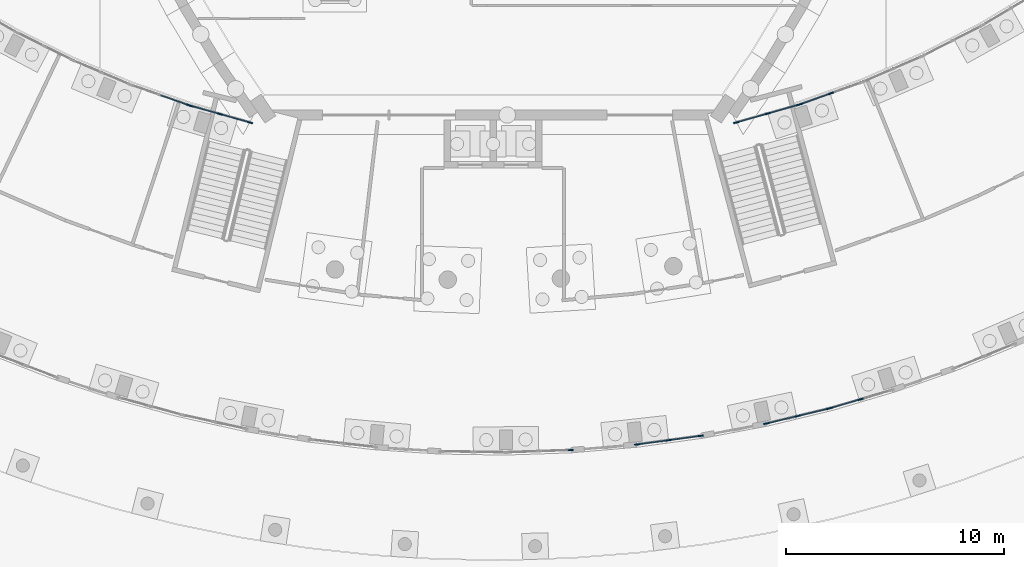
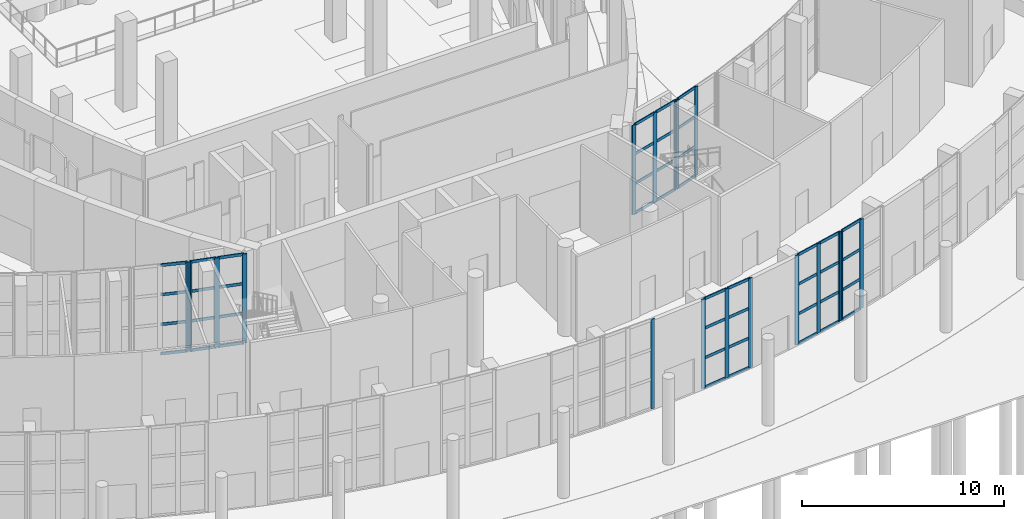
# One storey, part 21 of 82: 62 members, 8 elements without a shape of their own.
"""IFC4 building model written with IfcOpenShell, lengths in metres."""

from ifc_helpers import new_model, si_unit, direction, frame, origin, origin_2d, place, context, subcontext, project, spatial, rectangle, extrude, material, material_profile, profile_set, type_object, element, aggregate, save


model = new_model("IFC4")

# Units and contexts
model_context = context("Model", 3, precision=1e-05, world=origin(), true_north=direction((0.0, 1.0)))
body_context = subcontext(model_context, "Body", "Model", "MODEL_VIEW")
ifc_project = project(units=[si_unit("LENGTHUNIT", "METRE"), si_unit("AREAUNIT", "SQUARE_METRE"), si_unit("VOLUMEUNIT", "CUBIC_METRE"), si_unit("PLANEANGLEUNIT", "RADIAN"), si_unit("MASSUNIT", "GRAM", prefix="KILO")], contexts=[model_context])

# Site, building, storey
site_placement = place(None, origin())
site = spatial("IfcSite", under=ifc_project, at=site_placement, CompositionType="ELEMENT")
building_placement = place(site_placement, origin())
building = spatial("IfcBuilding", under=site, at=building_placement, Name="Tide Square Theatres", CompositionType="ELEMENT")
storey_placement = place(building_placement, origin())
storey = spatial("IfcBuildingStorey", under=building, at=storey_placement, Name="L00", CompositionType="ELEMENT", Elevation=0.0)

# Curtain wall, member
ifc_material_1 = material(Name="Aluminium 6063-T5", Category="aluminium")
curtain_wall_type = type_object("IfcCurtainWallType", Name="Unitised system curtain wall 5400 high", PredefinedType="USERDEFINED", material=ifc_material_1)
curtain_wall_1_placement = place(storey_placement, origin())
curtain_wall_1 = element("IfcCurtainWall", 1, at=curtain_wall_1_placement, inside=storey, type_object=curtain_wall_type, Name="Foyer outer curtain wall", ObjectType="UNITISED SYSTEM", PredefinedType="USERDEFINED")
ifc_material_2 = material(Name="Aluminium 6063-T5", Category="aluminium")
ifc_material_profile_1 = material_profile(ifc_material_2, rectangle(XDim=0.06005859375, YDim=0.25, at=origin_2d()))
ifc_profile_set_1 = profile_set([ifc_material_profile_1], Name="Aluminium 6063-T5")
member_type_1 = type_object("IfcMemberType", Name="Aluminium mullion 60 x 250", PredefinedType="MULLION", material=ifc_profile_set_1)
member_1_placement = place(storey_placement, frame((87.555908203125, 8.2314453125, 0.0), z_axis=(0.0, 0.0, 1.0), x_axis=(-0.034879571875, 0.999391522611, 0.0)))
member_1 = element("IfcMember", 2, at=member_1_placement, type_object=member_type_1, Name="CW-01 mullion 3", PredefinedType="MULLION", context=body_context, shape_type="SweptSolid", body=[
    extrude(rectangle(XDim=0.06005859375, YDim=0.25, at=origin_2d()), origin(), (0.0, 0.0, 1.0), 5.39990234375),
])
aggregate(curtain_wall_1, [member_1])

# Curtain wall, members
curtain_wall_2_placement = place(storey_placement, origin())
curtain_wall_2 = element("IfcCurtainWall", 3, at=curtain_wall_2_placement, inside=storey, type_object=curtain_wall_type, Name="Foyer outer curtain wall", ObjectType="UNITISED SYSTEM", PredefinedType="USERDEFINED")
member_2_placement = place(storey_placement, frame((90.600830078125, 8.49072265625, 0.0), z_axis=(0.0, 0.0, 1.0), x_axis=(-0.134576982836, 0.990903141427, 0.0)))
member_2 = element("IfcMember", 4, at=member_2_placement, type_object=member_type_1, Name="CW-01 mullion 1", PredefinedType="MULLION", context=body_context, shape_type="SweptSolid", body=[
    extrude(rectangle(XDim=0.06005859375, YDim=0.25, at=origin_2d()), origin(), (0.0, 0.0, 1.0), 5.39990234375),
])
member_3_placement = place(storey_placement, frame((92.055419921875, 8.688232421875, 0.0), z_axis=(0.0, 0.0, 1.0), x_axis=(-0.134576982836, 0.990903141427, 0.0)))
member_3 = element("IfcMember", 5, at=member_3_placement, type_object=member_type_1, Name="CW-01 mullion 2", PredefinedType="MULLION", context=body_context, shape_type="SweptSolid", body=[
    extrude(rectangle(XDim=0.06005859375, YDim=0.25, at=origin_2d()), origin(), (0.0, 0.0, 1.0), 5.39990234375),
])
member_4_placement = place(storey_placement, frame((93.51025390625, 8.8857421875, 0.0), z_axis=(0.0, 0.0, 1.0), x_axis=(-0.134576982836, 0.990903141427, 0.0)))
member_4 = element("IfcMember", 6, at=member_4_placement, type_object=member_type_1, Name="CW-01 mullion 3", PredefinedType="MULLION", context=body_context, shape_type="SweptSolid", body=[
    extrude(rectangle(XDim=0.06005859375, YDim=0.25, at=origin_2d()), origin(), (0.0, 0.0, 1.0), 5.39990234375),
])

curtain_wall_3_placement = place(storey_placement, origin())
curtain_wall_3 = element("IfcCurtainWall", 7, at=curtain_wall_3_placement, inside=storey, type_object=curtain_wall_type, Name="Foyer outer curtain wall", ObjectType="UNITISED SYSTEM", PredefinedType="USERDEFINED")
member_5_placement = place(storey_placement, frame((96.513916015625, 9.447998046875, 0.0), z_axis=(0.0, 0.0, 1.0), x_axis=(-0.232910887324, 0.972498081523, 0.0)))
member_5 = element("IfcMember", 8, at=member_5_placement, type_object=member_type_1, Name="CW-01 mullion 1", PredefinedType="MULLION", context=body_context, shape_type="SweptSolid", body=[
    extrude(rectangle(XDim=0.06005859375, YDim=0.25, at=origin_2d()), origin(), (0.0, 0.0, 1.0), 5.39990234375),
])
member_6_placement = place(storey_placement, frame((97.94140625, 9.7900390625, 0.0), z_axis=(0.0, 0.0, 1.0), x_axis=(-0.232910887324, 0.972498081523, 0.0)))
member_6 = element("IfcMember", 9, at=member_6_placement, type_object=member_type_1, Name="CW-01 mullion 2", PredefinedType="MULLION", context=body_context, shape_type="SweptSolid", body=[
    extrude(rectangle(XDim=0.06005859375, YDim=0.25, at=origin_2d()), origin(), (0.0, 0.0, 1.0), 5.39990234375),
])
member_7_placement = place(storey_placement, frame((99.369140625, 10.1318359375, 0.0), z_axis=(0.0, 0.0, 1.0), x_axis=(-0.232910887324, 0.972498081523, 0.0)))
member_7 = element("IfcMember", 10, at=member_7_placement, type_object=member_type_1, Name="CW-01 mullion 3", PredefinedType="MULLION", context=body_context, shape_type="SweptSolid", body=[
    extrude(rectangle(XDim=0.06005859375, YDim=0.25, at=origin_2d()), origin(), (0.0, 0.0, 1.0), 5.39990234375),
])

curtain_wall_4_placement = place(storey_placement, origin())
curtain_wall_4 = element("IfcCurtainWall", 11, at=curtain_wall_4_placement, inside=storey, type_object=curtain_wall_type, Name="Foyer outer curtain wall", ObjectType="UNITISED SYSTEM", PredefinedType="USERDEFINED")
member_8_placement = place(storey_placement, frame((99.427001953125, 10.147216796875, 0.0), z_axis=(0.0, 0.0, 1.0), x_axis=(-0.281278914607, 0.959626058524, 0.0)))
member_8 = element("IfcMember", 12, at=member_8_placement, type_object=member_type_1, Name="CW-01 mullion 1", PredefinedType="MULLION", context=body_context, shape_type="SweptSolid", body=[
    extrude(rectangle(XDim=0.06005859375, YDim=0.25, at=origin_2d()), origin(), (0.0, 0.0, 1.0), 5.39990234375),
])
member_9_placement = place(storey_placement, frame((100.835693359375, 10.560302734375, 0.0), z_axis=(0.0, 0.0, 1.0), x_axis=(-0.281278914607, 0.959626058524, 0.0)))
member_9 = element("IfcMember", 13, at=member_9_placement, type_object=member_type_1, Name="CW-01 mullion 2", PredefinedType="MULLION", context=body_context, shape_type="SweptSolid", body=[
    extrude(rectangle(XDim=0.06005859375, YDim=0.25, at=origin_2d()), origin(), (0.0, 0.0, 1.0), 5.39990234375),
])

curtain_wall_5_placement = place(storey_placement, origin())
curtain_wall_5 = element("IfcCurtainWall", 14, at=curtain_wall_5_placement, inside=storey, type_object=curtain_wall_type, Name="Foyer inner curtain wall", ObjectType="UNITISED SYSTEM", PredefinedType="USERDEFINED")
member_10_placement = place(storey_placement, frame((99.4765625, 24.575439453125, 0.0), z_axis=(0.0, 0.0, 1.0), x_axis=(0.335723260146, -0.941960664039, 0.0)))
member_10 = element("IfcMember", 15, at=member_10_placement, type_object=member_type_1, Name="CW-01 mullion 2", PredefinedType="MULLION", context=body_context, shape_type="SweptSolid", body=[
    extrude(rectangle(XDim=0.06005859375, YDim=0.25, at=origin_2d()), origin(), (0.0, 0.0, 1.0), 5.39990234375),
])
member_11_placement = place(storey_placement, frame((98.073974609375, 24.07568359375, 0.0), z_axis=(0.0, 0.0, 1.0), x_axis=(0.335723260146, -0.941960664039, 0.0)))
member_11 = element("IfcMember", 16, at=member_11_placement, type_object=member_type_1, Name="CW-01 mullion 3", PredefinedType="MULLION", context=body_context, shape_type="SweptSolid", body=[
    extrude(rectangle(XDim=0.06005859375, YDim=0.25, at=origin_2d()), origin(), (0.0, 0.0, 1.0), 5.39990234375),
])

curtain_wall_6_placement = place(storey_placement, origin())
curtain_wall_6 = element("IfcCurtainWall", 17, at=curtain_wall_6_placement, inside=storey, type_object=curtain_wall_type, Name="Foyer inner curtain wall", ObjectType="UNITISED SYSTEM", PredefinedType="USERDEFINED")
member_12_placement = place(storey_placement, frame((98.016845703125, 24.057373046875, 0.0), z_axis=(0.0, 0.0, 1.0), x_axis=(0.272976223163, -0.962020780227, 0.0)))
member_12 = element("IfcMember", 18, at=member_12_placement, type_object=member_type_1, Name="CW-01 mullion 1", PredefinedType="MULLION", context=body_context, shape_type="SweptSolid", body=[
    extrude(rectangle(XDim=0.06005859375, YDim=0.25, at=origin_2d()), origin(), (0.0, 0.0, 1.0), 5.39990234375),
])
member_13_placement = place(storey_placement, frame((96.578125, 23.649169921875, 0.0), z_axis=(0.0, 0.0, 1.0), x_axis=(0.272976223163, -0.962020780227, 0.0)))
member_13 = element("IfcMember", 19, at=member_13_placement, type_object=member_type_1, Name="CW-01 mullion 2", PredefinedType="MULLION", context=body_context, shape_type="SweptSolid", body=[
    extrude(rectangle(XDim=0.06005859375, YDim=0.25, at=origin_2d()), origin(), (0.0, 0.0, 1.0), 5.39990234375),
])
member_14_placement = place(storey_placement, frame((95.13916015625, 23.24072265625, 0.0), z_axis=(0.0, 0.0, 1.0), x_axis=(0.272976223163, -0.962020780227, 0.0)))
member_14 = element("IfcMember", 20, at=member_14_placement, type_object=member_type_1, Name="CW-01 mullion 3", PredefinedType="MULLION", context=body_context, shape_type="SweptSolid", body=[
    extrude(rectangle(XDim=0.06005859375, YDim=0.25, at=origin_2d()), origin(), (0.0, 0.0, 1.0), 5.39990234375),
])

curtain_wall_7_placement = place(storey_placement, origin())
curtain_wall_7 = element("IfcCurtainWall", 21, at=curtain_wall_7_placement, inside=storey, type_object=curtain_wall_type, Name="Foyer inner curtain wall", ObjectType="UNITISED SYSTEM", PredefinedType="USERDEFINED")
member_15_placement = place(storey_placement, frame((72.86083984375, 23.24072265625, 0.0), z_axis=(0.0, 0.0, 1.0), x_axis=(-0.271328006432, -0.962486941691, 0.0)))
member_15 = element("IfcMember", 22, at=member_15_placement, type_object=member_type_1, Name="CW-01 mullion 1", PredefinedType="MULLION", context=body_context, shape_type="SweptSolid", body=[
    extrude(rectangle(XDim=0.06005859375, YDim=0.25, at=origin_2d()), origin(), (0.0, 0.0, 1.0), 5.39990234375),
])
member_16_placement = place(storey_placement, frame((71.497314453125, 23.625244140625, 0.0), z_axis=(0.0, 0.0, 1.0), x_axis=(-0.271328006432, -0.962486941691, 0.0)))
member_16 = element("IfcMember", 23, at=member_16_placement, type_object=member_type_1, Name="CW-01 mullion 2", PredefinedType="MULLION", context=body_context, shape_type="SweptSolid", body=[
    extrude(rectangle(XDim=0.06005859375, YDim=0.25, at=origin_2d()), origin(), (0.0, 0.0, 1.0), 5.39990234375),
])
member_17_placement = place(storey_placement, frame((70.133544921875, 24.009521484375, 0.0), z_axis=(0.0, 0.0, 1.0), x_axis=(-0.271328006432, -0.962486941691, 0.0)))
member_17 = element("IfcMember", 24, at=member_17_placement, type_object=member_type_1, Name="CW-01 mullion 3", PredefinedType="MULLION", context=body_context, shape_type="SweptSolid", body=[
    extrude(rectangle(XDim=0.06005859375, YDim=0.25, at=origin_2d()), origin(), (0.0, 0.0, 1.0), 5.39990234375),
])

# Curtain wall, member
curtain_wall_8_placement = place(storey_placement, origin())
curtain_wall_8 = element("IfcCurtainWall", 25, at=curtain_wall_8_placement, inside=storey, type_object=curtain_wall_type, Name="Foyer inner curtain wall", ObjectType="UNITISED SYSTEM", PredefinedType="USERDEFINED")
member_18_placement = place(storey_placement, frame((70.076416015625, 24.027587890625, 0.0), z_axis=(0.0, 0.0, 1.0), x_axis=(-0.330876191147, -0.943674173713, 0.0)))
member_18 = element("IfcMember", 26, at=member_18_placement, type_object=member_type_1, Name="CW-01 mullion 1", PredefinedType="MULLION", context=body_context, shape_type="SweptSolid", body=[
    extrude(rectangle(XDim=0.06005859375, YDim=0.25, at=origin_2d()), origin(), (0.0, 0.0, 1.0), 5.39990234375),
])

# Member
ifc_material_3 = material(Name="Aluminium 6063-T5", Category="aluminium")
ifc_material_profile_2 = material_profile(ifc_material_3, rectangle(XDim=0.050048828125, YDim=0.175048828125, at=origin_2d()))
ifc_profile_set_2 = profile_set([ifc_material_profile_2], Name="Aluminium 6063-T5")
member_type_2 = type_object("IfcMemberType", Name="Aluminium transom 50 x 175", PredefinedType="USERDEFINED", material=ifc_profile_set_2)
member_19_placement = place(storey_placement, frame((90.630615234375, 8.494873046875, 0.02490234375), z_axis=(0.99090702889, 0.134548355979, 0.0), x_axis=(-0.134548355979, 0.99090702889, 0.0)))
member_19 = element("IfcMember", 27, at=member_19_placement, type_object=member_type_2, Name="CW-01 transom 1.1", ObjectType="TRANSOM", PredefinedType="USERDEFINED", context=body_context, shape_type="SweptSolid", body=[
    extrude(rectangle(XDim=0.050048828125, YDim=0.175048828125, at=origin_2d()), origin(), (0.0, 0.0, 1.0), 1.407958984375),
])

member_20_placement = place(storey_placement, frame((90.630615234375, 8.494873046875, 1.800048828125), z_axis=(0.99090702889, 0.134548355979, 0.0), x_axis=(-0.134548355979, 0.99090702889, 0.0)))
member_20 = element("IfcMember", 28, at=member_20_placement, type_object=member_type_2, Name="CW-01 transom 1.2", ObjectType="TRANSOM", PredefinedType="USERDEFINED", context=body_context, shape_type="SweptSolid", body=[
    extrude(rectangle(XDim=0.050048828125, YDim=0.175048828125, at=origin_2d()), origin(), (0.0, 0.0, 1.0), 1.407958984375),
])

member_21_placement = place(storey_placement, frame((90.630615234375, 8.494873046875, 3.60009765625), z_axis=(0.99090702889, 0.134548355979, 0.0), x_axis=(-0.134548355979, 0.99090702889, 0.0)))
member_21 = element("IfcMember", 29, at=member_21_placement, type_object=member_type_2, Name="CW-01 transom 1.3", ObjectType="TRANSOM", PredefinedType="USERDEFINED", context=body_context, shape_type="SweptSolid", body=[
    extrude(rectangle(XDim=0.050048828125, YDim=0.175048828125, at=origin_2d()), origin(), (0.0, 0.0, 1.0), 1.407958984375),
])

member_22_placement = place(storey_placement, frame((90.630615234375, 8.494873046875, 5.375), z_axis=(0.99090702889, 0.134548355979, 0.0), x_axis=(-0.134548355979, 0.99090702889, 0.0)))
member_22 = element("IfcMember", 30, at=member_22_placement, type_object=member_type_2, Name="CW-01 transom 1.4", ObjectType="TRANSOM", PredefinedType="USERDEFINED", context=body_context, shape_type="SweptSolid", body=[
    extrude(rectangle(XDim=0.050048828125, YDim=0.175048828125, at=origin_2d()), origin(), (0.0, 0.0, 1.0), 1.407958984375),
])

member_23_placement = place(storey_placement, frame((92.085205078125, 8.6923828125, 0.02490234375), z_axis=(0.99090702889, 0.134548355979, 0.0), x_axis=(-0.134548355979, 0.99090702889, 0.0)))
member_23 = element("IfcMember", 31, at=member_23_placement, type_object=member_type_2, Name="CW-01 transom 2.1", ObjectType="TRANSOM", PredefinedType="USERDEFINED", context=body_context, shape_type="SweptSolid", body=[
    extrude(rectangle(XDim=0.050048828125, YDim=0.175048828125, at=origin_2d()), origin(), (0.0, 0.0, 1.0), 1.407958984375),
])

member_24_placement = place(storey_placement, frame((92.085205078125, 8.6923828125, 1.800048828125), z_axis=(0.99090702889, 0.134548355979, 0.0), x_axis=(-0.134548355979, 0.99090702889, 0.0)))
member_24 = element("IfcMember", 32, at=member_24_placement, type_object=member_type_2, Name="CW-01 transom 2.2", ObjectType="TRANSOM", PredefinedType="USERDEFINED", context=body_context, shape_type="SweptSolid", body=[
    extrude(rectangle(XDim=0.050048828125, YDim=0.175048828125, at=origin_2d()), origin(), (0.0, 0.0, 1.0), 1.407958984375),
])

member_25_placement = place(storey_placement, frame((92.085205078125, 8.6923828125, 3.60009765625), z_axis=(0.99090702889, 0.134548355979, 0.0), x_axis=(-0.134548355979, 0.99090702889, 0.0)))
member_25 = element("IfcMember", 33, at=member_25_placement, type_object=member_type_2, Name="CW-01 transom 2.3", ObjectType="TRANSOM", PredefinedType="USERDEFINED", context=body_context, shape_type="SweptSolid", body=[
    extrude(rectangle(XDim=0.050048828125, YDim=0.175048828125, at=origin_2d()), origin(), (0.0, 0.0, 1.0), 1.407958984375),
])

member_26_placement = place(storey_placement, frame((92.085205078125, 8.6923828125, 5.375), z_axis=(0.99090702889, 0.134548355979, 0.0), x_axis=(-0.134548355979, 0.99090702889, 0.0)))
member_26 = element("IfcMember", 34, at=member_26_placement, type_object=member_type_2, Name="CW-01 transom 2.4", ObjectType="TRANSOM", PredefinedType="USERDEFINED", context=body_context, shape_type="SweptSolid", body=[
    extrude(rectangle(XDim=0.050048828125, YDim=0.175048828125, at=origin_2d()), origin(), (0.0, 0.0, 1.0), 1.407958984375),
])

aggregate(curtain_wall_2, [member_2, member_3, member_4, member_19, member_20, member_21, member_22, member_23, member_24, member_25, member_26])

member_27_placement = place(storey_placement, frame((96.54296875, 9.455078125, 0.02490234375), z_axis=(0.972511496915, 0.232854865459, 0.0), x_axis=(-0.232854865459, 0.972511496915, 0.0)))
member_27 = element("IfcMember", 35, at=member_27_placement, type_object=member_type_2, Name="CW-01 transom 1.1", ObjectType="TRANSOM", PredefinedType="USERDEFINED", context=body_context, shape_type="SweptSolid", body=[
    extrude(rectangle(XDim=0.050048828125, YDim=0.175048828125, at=origin_2d()), origin(), (0.0, 0.0, 1.0), 1.408203125),
])

member_28_placement = place(storey_placement, frame((96.54296875, 9.455078125, 1.800048828125), z_axis=(0.972511496915, 0.232854865459, 0.0), x_axis=(-0.232854865459, 0.972511496915, 0.0)))
member_28 = element("IfcMember", 36, at=member_28_placement, type_object=member_type_2, Name="CW-01 transom 1.2", ObjectType="TRANSOM", PredefinedType="USERDEFINED", context=body_context, shape_type="SweptSolid", body=[
    extrude(rectangle(XDim=0.050048828125, YDim=0.175048828125, at=origin_2d()), origin(), (0.0, 0.0, 1.0), 1.408203125),
])

member_29_placement = place(storey_placement, frame((96.54296875, 9.455078125, 3.60009765625), z_axis=(0.972511496915, 0.232854865459, 0.0), x_axis=(-0.232854865459, 0.972511496915, 0.0)))
member_29 = element("IfcMember", 37, at=member_29_placement, type_object=member_type_2, Name="CW-01 transom 1.3", ObjectType="TRANSOM", PredefinedType="USERDEFINED", context=body_context, shape_type="SweptSolid", body=[
    extrude(rectangle(XDim=0.050048828125, YDim=0.175048828125, at=origin_2d()), origin(), (0.0, 0.0, 1.0), 1.408203125),
])

member_30_placement = place(storey_placement, frame((96.54296875, 9.455078125, 5.375), z_axis=(0.972511496915, 0.232854865459, 0.0), x_axis=(-0.232854865459, 0.972511496915, 0.0)))
member_30 = element("IfcMember", 38, at=member_30_placement, type_object=member_type_2, Name="CW-01 transom 1.4", ObjectType="TRANSOM", PredefinedType="USERDEFINED", context=body_context, shape_type="SweptSolid", body=[
    extrude(rectangle(XDim=0.050048828125, YDim=0.175048828125, at=origin_2d()), origin(), (0.0, 0.0, 1.0), 1.408203125),
])

member_31_placement = place(storey_placement, frame((97.970703125, 9.796875, 0.02490234375), z_axis=(0.972462804771, 0.233058132955, 0.0), x_axis=(-0.233058132955, 0.972462804771, 0.0)))
member_31 = element("IfcMember", 39, at=member_31_placement, type_object=member_type_2, Name="CW-01 transom 2.1", ObjectType="TRANSOM", PredefinedType="USERDEFINED", context=body_context, shape_type="SweptSolid", body=[
    extrude(rectangle(XDim=0.050048828125, YDim=0.175048828125, at=origin_2d()), origin(), (0.0, 0.0, 1.0), 1.407958984375),
])

member_32_placement = place(storey_placement, frame((97.970703125, 9.796875, 1.800048828125), z_axis=(0.972462804771, 0.233058132955, 0.0), x_axis=(-0.233058132955, 0.972462804771, 0.0)))
member_32 = element("IfcMember", 40, at=member_32_placement, type_object=member_type_2, Name="CW-01 transom 2.2", ObjectType="TRANSOM", PredefinedType="USERDEFINED", context=body_context, shape_type="SweptSolid", body=[
    extrude(rectangle(XDim=0.050048828125, YDim=0.175048828125, at=origin_2d()), origin(), (0.0, 0.0, 1.0), 1.407958984375),
])

member_33_placement = place(storey_placement, frame((97.970703125, 9.796875, 3.60009765625), z_axis=(0.972462804771, 0.233058132955, 0.0), x_axis=(-0.233058132955, 0.972462804771, 0.0)))
member_33 = element("IfcMember", 41, at=member_33_placement, type_object=member_type_2, Name="CW-01 transom 2.3", ObjectType="TRANSOM", PredefinedType="USERDEFINED", context=body_context, shape_type="SweptSolid", body=[
    extrude(rectangle(XDim=0.050048828125, YDim=0.175048828125, at=origin_2d()), origin(), (0.0, 0.0, 1.0), 1.407958984375),
])

member_34_placement = place(storey_placement, frame((97.970703125, 9.796875, 5.375), z_axis=(0.972462804771, 0.233058132955, 0.0), x_axis=(-0.233058132955, 0.972462804771, 0.0)))
member_34 = element("IfcMember", 42, at=member_34_placement, type_object=member_type_2, Name="CW-01 transom 2.4", ObjectType="TRANSOM", PredefinedType="USERDEFINED", context=body_context, shape_type="SweptSolid", body=[
    extrude(rectangle(XDim=0.050048828125, YDim=0.175048828125, at=origin_2d()), origin(), (0.0, 0.0, 1.0), 1.407958984375),
])

aggregate(curtain_wall_3, [member_5, member_6, member_7, member_27, member_28, member_29, member_30, member_31, member_32, member_33, member_34])

member_35_placement = place(storey_placement, frame((99.455810546875, 10.15576171875, 0.02490234375), z_axis=(0.959643872572, 0.281218132125, 0.0), x_axis=(-0.281218132125, 0.959643872572, 0.0)))
member_35 = element("IfcMember", 43, at=member_35_placement, type_object=member_type_2, Name="CW-01 transom 1.1", ObjectType="TRANSOM", PredefinedType="USERDEFINED", context=body_context, shape_type="SweptSolid", body=[
    extrude(rectangle(XDim=0.050048828125, YDim=0.175048828125, at=origin_2d()), origin(), (0.0, 0.0, 1.0), 1.408203125),
])

member_36_placement = place(storey_placement, frame((99.455810546875, 10.15576171875, 1.800048828125), z_axis=(0.959643872572, 0.281218132125, 0.0), x_axis=(-0.281218132125, 0.959643872572, 0.0)))
member_36 = element("IfcMember", 44, at=member_36_placement, type_object=member_type_2, Name="CW-01 transom 1.2", ObjectType="TRANSOM", PredefinedType="USERDEFINED", context=body_context, shape_type="SweptSolid", body=[
    extrude(rectangle(XDim=0.050048828125, YDim=0.175048828125, at=origin_2d()), origin(), (0.0, 0.0, 1.0), 1.408203125),
])

member_37_placement = place(storey_placement, frame((99.455810546875, 10.15576171875, 3.60009765625), z_axis=(0.959643872572, 0.281218132125, 0.0), x_axis=(-0.281218132125, 0.959643872572, 0.0)))
member_37 = element("IfcMember", 45, at=member_37_placement, type_object=member_type_2, Name="CW-01 transom 1.3", ObjectType="TRANSOM", PredefinedType="USERDEFINED", context=body_context, shape_type="SweptSolid", body=[
    extrude(rectangle(XDim=0.050048828125, YDim=0.175048828125, at=origin_2d()), origin(), (0.0, 0.0, 1.0), 1.408203125),
])

member_38_placement = place(storey_placement, frame((99.455810546875, 10.15576171875, 5.375), z_axis=(0.959643872572, 0.281218132125, 0.0), x_axis=(-0.281218132125, 0.959643872572, 0.0)))
member_38 = element("IfcMember", 46, at=member_38_placement, type_object=member_type_2, Name="CW-01 transom 1.4", ObjectType="TRANSOM", PredefinedType="USERDEFINED", context=body_context, shape_type="SweptSolid", body=[
    extrude(rectangle(XDim=0.050048828125, YDim=0.175048828125, at=origin_2d()), origin(), (0.0, 0.0, 1.0), 1.408203125),
])

aggregate(curtain_wall_4, [member_8, member_9, member_35, member_36, member_37, member_38])

member_39_placement = place(storey_placement, frame((99.4482421875, 24.5654296875, 0.02490234375), z_axis=(-0.941954332747, -0.335741023735, 0.0), x_axis=(0.335741023735, -0.941954332747, 0.0)))
member_39 = element("IfcMember", 47, at=member_39_placement, type_object=member_type_2, Name="CW-01 transom 2.1", ObjectType="TRANSOM", PredefinedType="USERDEFINED", context=body_context, shape_type="SweptSolid", body=[
    extrude(rectangle(XDim=0.050048828125, YDim=0.175048828125, at=origin_2d()), origin(), (0.0, 0.0, 1.0), 1.428955078125),
])

member_40_placement = place(storey_placement, frame((99.4482421875, 24.5654296875, 1.800048828125), z_axis=(-0.941954332747, -0.335741023735, 0.0), x_axis=(0.335741023735, -0.941954332747, 0.0)))
member_40 = element("IfcMember", 48, at=member_40_placement, type_object=member_type_2, Name="CW-01 transom 2.2", ObjectType="TRANSOM", PredefinedType="USERDEFINED", context=body_context, shape_type="SweptSolid", body=[
    extrude(rectangle(XDim=0.050048828125, YDim=0.175048828125, at=origin_2d()), origin(), (0.0, 0.0, 1.0), 1.428955078125),
])

member_41_placement = place(storey_placement, frame((99.4482421875, 24.5654296875, 3.60009765625), z_axis=(-0.941954332747, -0.335741023735, 0.0), x_axis=(0.335741023735, -0.941954332747, 0.0)))
member_41 = element("IfcMember", 49, at=member_41_placement, type_object=member_type_2, Name="CW-01 transom 2.3", ObjectType="TRANSOM", PredefinedType="USERDEFINED", context=body_context, shape_type="SweptSolid", body=[
    extrude(rectangle(XDim=0.050048828125, YDim=0.175048828125, at=origin_2d()), origin(), (0.0, 0.0, 1.0), 1.428955078125),
])

member_42_placement = place(storey_placement, frame((99.4482421875, 24.5654296875, 5.375), z_axis=(-0.941954332747, -0.335741023735, 0.0), x_axis=(0.335741023735, -0.941954332747, 0.0)))
member_42 = element("IfcMember", 50, at=member_42_placement, type_object=member_type_2, Name="CW-01 transom 2.4", ObjectType="TRANSOM", PredefinedType="USERDEFINED", context=body_context, shape_type="SweptSolid", body=[
    extrude(rectangle(XDim=0.050048828125, YDim=0.175048828125, at=origin_2d()), origin(), (0.0, 0.0, 1.0), 1.428955078125),
])

aggregate(curtain_wall_5, [member_10, member_11, member_39, member_40, member_41, member_42])

member_43_placement = place(storey_placement, frame((97.988037109375, 24.049072265625, 0.02490234375), z_axis=(-0.962029281646, -0.272946260746, 0.0), x_axis=(0.272946260746, -0.962029281646, 0.0)))
member_43 = element("IfcMember", 51, at=member_43_placement, type_object=member_type_2, Name="CW-01 transom 1.1", ObjectType="TRANSOM", PredefinedType="USERDEFINED", context=body_context, shape_type="SweptSolid", body=[
    extrude(rectangle(XDim=0.050048828125, YDim=0.175048828125, at=origin_2d()), origin(), (0.0, 0.0, 1.0), 1.435546875),
])

member_44_placement = place(storey_placement, frame((97.988037109375, 24.049072265625, 1.800048828125), z_axis=(-0.962029281646, -0.272946260746, 0.0), x_axis=(0.272946260746, -0.962029281646, 0.0)))
member_44 = element("IfcMember", 52, at=member_44_placement, type_object=member_type_2, Name="CW-01 transom 1.2", ObjectType="TRANSOM", PredefinedType="USERDEFINED", context=body_context, shape_type="SweptSolid", body=[
    extrude(rectangle(XDim=0.050048828125, YDim=0.175048828125, at=origin_2d()), origin(), (0.0, 0.0, 1.0), 1.435546875),
])

member_45_placement = place(storey_placement, frame((97.988037109375, 24.049072265625, 3.60009765625), z_axis=(-0.962029281646, -0.272946260746, 0.0), x_axis=(0.272946260746, -0.962029281646, 0.0)))
member_45 = element("IfcMember", 53, at=member_45_placement, type_object=member_type_2, Name="CW-01 transom 1.3", ObjectType="TRANSOM", PredefinedType="USERDEFINED", context=body_context, shape_type="SweptSolid", body=[
    extrude(rectangle(XDim=0.050048828125, YDim=0.175048828125, at=origin_2d()), origin(), (0.0, 0.0, 1.0), 1.435546875),
])

member_46_placement = place(storey_placement, frame((97.988037109375, 24.049072265625, 5.375), z_axis=(-0.962029281646, -0.272946260746, 0.0), x_axis=(0.272946260746, -0.962029281646, 0.0)))
member_46 = element("IfcMember", 54, at=member_46_placement, type_object=member_type_2, Name="CW-01 transom 1.4", ObjectType="TRANSOM", PredefinedType="USERDEFINED", context=body_context, shape_type="SweptSolid", body=[
    extrude(rectangle(XDim=0.050048828125, YDim=0.175048828125, at=origin_2d()), origin(), (0.0, 0.0, 1.0), 1.435546875),
])

member_47_placement = place(storey_placement, frame((96.549072265625, 23.640869140625, 0.02490234375), z_axis=(-0.962016609126, -0.272990922498, 0.0), x_axis=(0.272990922498, -0.962016609126, 0.0)))
member_47 = element("IfcMember", 55, at=member_47_placement, type_object=member_type_2, Name="CW-01 transom 2.1", ObjectType="TRANSOM", PredefinedType="USERDEFINED", context=body_context, shape_type="SweptSolid", body=[
    extrude(rectangle(XDim=0.050048828125, YDim=0.175048828125, at=origin_2d()), origin(), (0.0, 0.0, 1.0), 1.435302734375),
])

member_48_placement = place(storey_placement, frame((96.549072265625, 23.640869140625, 1.800048828125), z_axis=(-0.962016609126, -0.272990922498, 0.0), x_axis=(0.272990922498, -0.962016609126, 0.0)))
member_48 = element("IfcMember", 56, at=member_48_placement, type_object=member_type_2, Name="CW-01 transom 2.2", ObjectType="TRANSOM", PredefinedType="USERDEFINED", context=body_context, shape_type="SweptSolid", body=[
    extrude(rectangle(XDim=0.050048828125, YDim=0.175048828125, at=origin_2d()), origin(), (0.0, 0.0, 1.0), 1.435302734375),
])

member_49_placement = place(storey_placement, frame((96.549072265625, 23.640869140625, 3.60009765625), z_axis=(-0.962016609126, -0.272990922498, 0.0), x_axis=(0.272990922498, -0.962016609126, 0.0)))
member_49 = element("IfcMember", 57, at=member_49_placement, type_object=member_type_2, Name="CW-01 transom 2.3", ObjectType="TRANSOM", PredefinedType="USERDEFINED", context=body_context, shape_type="SweptSolid", body=[
    extrude(rectangle(XDim=0.050048828125, YDim=0.175048828125, at=origin_2d()), origin(), (0.0, 0.0, 1.0), 1.435302734375),
])

member_50_placement = place(storey_placement, frame((96.549072265625, 23.640869140625, 5.375), z_axis=(-0.962016609126, -0.272990922498, 0.0), x_axis=(0.272990922498, -0.962016609126, 0.0)))
member_50 = element("IfcMember", 58, at=member_50_placement, type_object=member_type_2, Name="CW-01 transom 2.4", ObjectType="TRANSOM", PredefinedType="USERDEFINED", context=body_context, shape_type="SweptSolid", body=[
    extrude(rectangle(XDim=0.050048828125, YDim=0.175048828125, at=origin_2d()), origin(), (0.0, 0.0, 1.0), 1.435302734375),
])

aggregate(curtain_wall_6, [member_12, member_13, member_14, member_43, member_44, member_45, member_46, member_47, member_48, member_49, member_50])

member_51_placement = place(storey_placement, frame((72.83203125, 23.248779296875, 0.02490234375), z_axis=(-0.962482215503, 0.271344771168, 0.0), x_axis=(-0.271344771168, -0.962482215503, 0.0)))
member_51 = element("IfcMember", 59, at=member_51_placement, type_object=member_type_2, Name="CW-01 transom 1.1", ObjectType="TRANSOM", PredefinedType="USERDEFINED", context=body_context, shape_type="SweptSolid", body=[
    extrude(rectangle(XDim=0.050048828125, YDim=0.175048828125, at=origin_2d()), origin(), (0.0, 0.0, 1.0), 1.35693359375),
])

member_52_placement = place(storey_placement, frame((72.83203125, 23.248779296875, 1.800048828125), z_axis=(-0.962482215503, 0.271344771168, 0.0), x_axis=(-0.271344771168, -0.962482215503, 0.0)))
member_52 = element("IfcMember", 60, at=member_52_placement, type_object=member_type_2, Name="CW-01 transom 1.2", ObjectType="TRANSOM", PredefinedType="USERDEFINED", context=body_context, shape_type="SweptSolid", body=[
    extrude(rectangle(XDim=0.050048828125, YDim=0.175048828125, at=origin_2d()), origin(), (0.0, 0.0, 1.0), 1.35693359375),
])

member_53_placement = place(storey_placement, frame((72.83203125, 23.248779296875, 3.60009765625), z_axis=(-0.962482215503, 0.271344771168, 0.0), x_axis=(-0.271344771168, -0.962482215503, 0.0)))
member_53 = element("IfcMember", 61, at=member_53_placement, type_object=member_type_2, Name="CW-01 transom 1.3", ObjectType="TRANSOM", PredefinedType="USERDEFINED", context=body_context, shape_type="SweptSolid", body=[
    extrude(rectangle(XDim=0.050048828125, YDim=0.175048828125, at=origin_2d()), origin(), (0.0, 0.0, 1.0), 1.35693359375),
])

member_54_placement = place(storey_placement, frame((72.83203125, 23.248779296875, 5.375), z_axis=(-0.962482215503, 0.271344771168, 0.0), x_axis=(-0.271344771168, -0.962482215503, 0.0)))
member_54 = element("IfcMember", 62, at=member_54_placement, type_object=member_type_2, Name="CW-01 transom 1.4", ObjectType="TRANSOM", PredefinedType="USERDEFINED", context=body_context, shape_type="SweptSolid", body=[
    extrude(rectangle(XDim=0.050048828125, YDim=0.175048828125, at=origin_2d()), origin(), (0.0, 0.0, 1.0), 1.35693359375),
])

member_55_placement = place(storey_placement, frame((71.46826171875, 23.63330078125, 0.02490234375), z_axis=(-0.962482215503, 0.271344771168, 0.0), x_axis=(-0.271344771168, -0.962482215503, 0.0)))
member_55 = element("IfcMember", 63, at=member_55_placement, type_object=member_type_2, Name="CW-01 transom 2.1", ObjectType="TRANSOM", PredefinedType="USERDEFINED", context=body_context, shape_type="SweptSolid", body=[
    extrude(rectangle(XDim=0.050048828125, YDim=0.175048828125, at=origin_2d()), origin(), (0.0, 0.0, 1.0), 1.35693359375),
])

member_56_placement = place(storey_placement, frame((71.46826171875, 23.63330078125, 1.800048828125), z_axis=(-0.962482215503, 0.271344771168, 0.0), x_axis=(-0.271344771168, -0.962482215503, 0.0)))
member_56 = element("IfcMember", 64, at=member_56_placement, type_object=member_type_2, Name="CW-01 transom 2.2", ObjectType="TRANSOM", PredefinedType="USERDEFINED", context=body_context, shape_type="SweptSolid", body=[
    extrude(rectangle(XDim=0.050048828125, YDim=0.175048828125, at=origin_2d()), origin(), (0.0, 0.0, 1.0), 1.35693359375),
])

member_57_placement = place(storey_placement, frame((71.46826171875, 23.63330078125, 3.60009765625), z_axis=(-0.962482215503, 0.271344771168, 0.0), x_axis=(-0.271344771168, -0.962482215503, 0.0)))
member_57 = element("IfcMember", 65, at=member_57_placement, type_object=member_type_2, Name="CW-01 transom 2.3", ObjectType="TRANSOM", PredefinedType="USERDEFINED", context=body_context, shape_type="SweptSolid", body=[
    extrude(rectangle(XDim=0.050048828125, YDim=0.175048828125, at=origin_2d()), origin(), (0.0, 0.0, 1.0), 1.35693359375),
])

member_58_placement = place(storey_placement, frame((71.46826171875, 23.63330078125, 5.375), z_axis=(-0.962482215503, 0.271344771168, 0.0), x_axis=(-0.271344771168, -0.962482215503, 0.0)))
member_58 = element("IfcMember", 66, at=member_58_placement, type_object=member_type_2, Name="CW-01 transom 2.4", ObjectType="TRANSOM", PredefinedType="USERDEFINED", context=body_context, shape_type="SweptSolid", body=[
    extrude(rectangle(XDim=0.050048828125, YDim=0.175048828125, at=origin_2d()), origin(), (0.0, 0.0, 1.0), 1.35693359375),
])

aggregate(curtain_wall_7, [member_15, member_16, member_17, member_51, member_52, member_53, member_54, member_55, member_56, member_57, member_58])

member_59_placement = place(storey_placement, frame((70.048095703125, 24.03759765625, 0.02490234375), z_axis=(-0.943669333819, 0.330889994422, 0.0), x_axis=(-0.330889994422, -0.943669333819, 0.0)))
member_59 = element("IfcMember", 67, at=member_59_placement, type_object=member_type_2, Name="CW-01 transom 1.1", ObjectType="TRANSOM", PredefinedType="USERDEFINED", context=body_context, shape_type="SweptSolid", body=[
    extrude(rectangle(XDim=0.050048828125, YDim=0.175048828125, at=origin_2d()), origin(), (0.0, 0.0, 1.0), 1.350341796875),
])

member_60_placement = place(storey_placement, frame((70.048095703125, 24.03759765625, 1.800048828125), z_axis=(-0.943669333819, 0.330889994422, 0.0), x_axis=(-0.330889994422, -0.943669333819, 0.0)))
member_60 = element("IfcMember", 68, at=member_60_placement, type_object=member_type_2, Name="CW-01 transom 1.2", ObjectType="TRANSOM", PredefinedType="USERDEFINED", context=body_context, shape_type="SweptSolid", body=[
    extrude(rectangle(XDim=0.050048828125, YDim=0.175048828125, at=origin_2d()), origin(), (0.0, 0.0, 1.0), 1.350341796875),
])

member_61_placement = place(storey_placement, frame((70.048095703125, 24.03759765625, 3.60009765625), z_axis=(-0.943669333819, 0.330889994422, 0.0), x_axis=(-0.330889994422, -0.943669333819, 0.0)))
member_61 = element("IfcMember", 69, at=member_61_placement, type_object=member_type_2, Name="CW-01 transom 1.3", ObjectType="TRANSOM", PredefinedType="USERDEFINED", context=body_context, shape_type="SweptSolid", body=[
    extrude(rectangle(XDim=0.050048828125, YDim=0.175048828125, at=origin_2d()), origin(), (0.0, 0.0, 1.0), 1.350341796875),
])

member_62_placement = place(storey_placement, frame((70.048095703125, 24.03759765625, 5.375), z_axis=(-0.943669333819, 0.330889994422, 0.0), x_axis=(-0.330889994422, -0.943669333819, 0.0)))
member_62 = element("IfcMember", 70, at=member_62_placement, type_object=member_type_2, Name="CW-01 transom 1.4", ObjectType="TRANSOM", PredefinedType="USERDEFINED", context=body_context, shape_type="SweptSolid", body=[
    extrude(rectangle(XDim=0.050048828125, YDim=0.175048828125, at=origin_2d()), origin(), (0.0, 0.0, 1.0), 1.350341796875),
])

aggregate(curtain_wall_8, [member_18, member_59, member_60, member_61, member_62])

save(model, "model.ifc")
